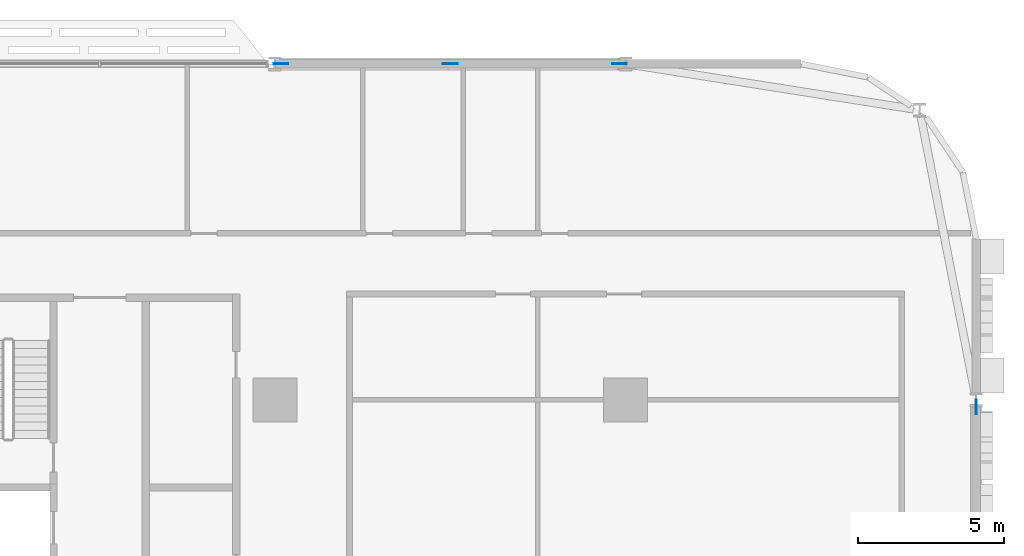
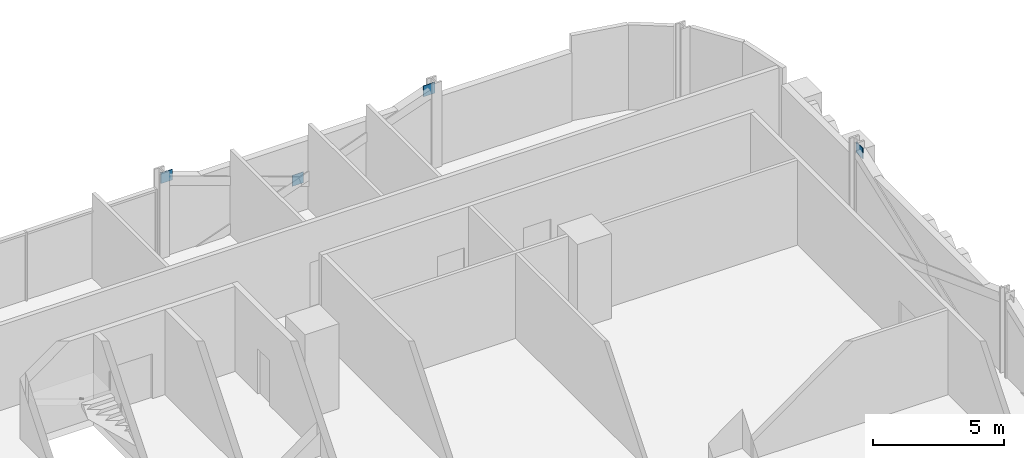
# One storey, part 23 of 29: 4 discrete accessories.
"""IFC4 building model written with IfcOpenShell, lengths in metres."""

from ifc_helpers import new_model, si_unit, direction, frame, origin, origin_2d, place, context, subcontext, project, spatial, rectangle, extrude, material, layer, layer_set, type_object, element, save


model = new_model("IFC4")

# Units and contexts
model_context = context("Model", 3, precision=1e-05, world=origin(), true_north=direction((0.0, 1.0)))
body_context = subcontext(model_context, "Body", "Model", "MODEL_VIEW")
ifc_project = project(units=[si_unit("LENGTHUNIT", "METRE"), si_unit("AREAUNIT", "SQUARE_METRE"), si_unit("VOLUMEUNIT", "CUBIC_METRE"), si_unit("PLANEANGLEUNIT", "RADIAN"), si_unit("MASSUNIT", "GRAM", prefix="KILO")], contexts=[model_context])

# Site, building, storey
site_placement = place(None, origin())
site = spatial("IfcSite", under=ifc_project, at=site_placement, CompositionType="ELEMENT")
building_placement = place(site_placement, origin())
building = spatial("IfcBuilding", under=site, at=building_placement, Name="Mahtab Terrace Research Tower", CompositionType="ELEMENT")
storey_placement = place(building_placement, frame((0.0, 0.0, 67.5)))
storey = spatial("IfcBuildingStorey", under=building, at=storey_placement, Name="L15", CompositionType="ELEMENT", Elevation=67.5)

# Discrete accessories
ifc_material = material(Name="Steel ASTM A992 Gr 50", Category="steel")
ifc_layer = layer(ifc_material, 0.030029296875)
ifc_layer_set = layer_set([ifc_layer], Name="Gusset plate 500x500x30")
discrete_accessory_type = type_object("IfcDiscreteAccessoryType", Name="Gusset plate 500x500x30", PredefinedType="USERDEFINED", material=ifc_layer_set)
for number, where, z_axis, x_axis, name in (
    (1, (30.212158203125, 23.0, 3.33154296875), (0.0, 0.0, 1.0), (1.0, 0.0, 0.0), "Gusset plate"),
    (2, (36.0, 23.0, 1.181396484375), (0.0, 0.0, 1.0), (1.0, 0.0, 0.0), "Gusset plate"),
    (3, (41.787841796875, 23.0, 3.33154296875), (0.0, 0.0, 1.0), (1.0, 0.0, 0.0), "Gusset plate"),
    (4, (54.0, 11.262451171875, 3.33154296875), (0.0, 0.0, 1.0), (0.0, 1.0, 0.0), "Gusset plate"),
):
    element("IfcDiscreteAccessory", number, at=place(storey_placement, frame(where, z_axis=z_axis, x_axis=x_axis)), inside=storey, type_object=discrete_accessory_type, Name=name, ObjectType="GUSSET PLATE", PredefinedType="USERDEFINED", context=body_context, shape_type="SweptSolid", body=[
        extrude(rectangle(XDim=0.5, YDim=0.030029296875, at=origin_2d()), origin(), (0.0, 0.0, 1.0), 0.5),
    ])

save(model, "model.ifc")
